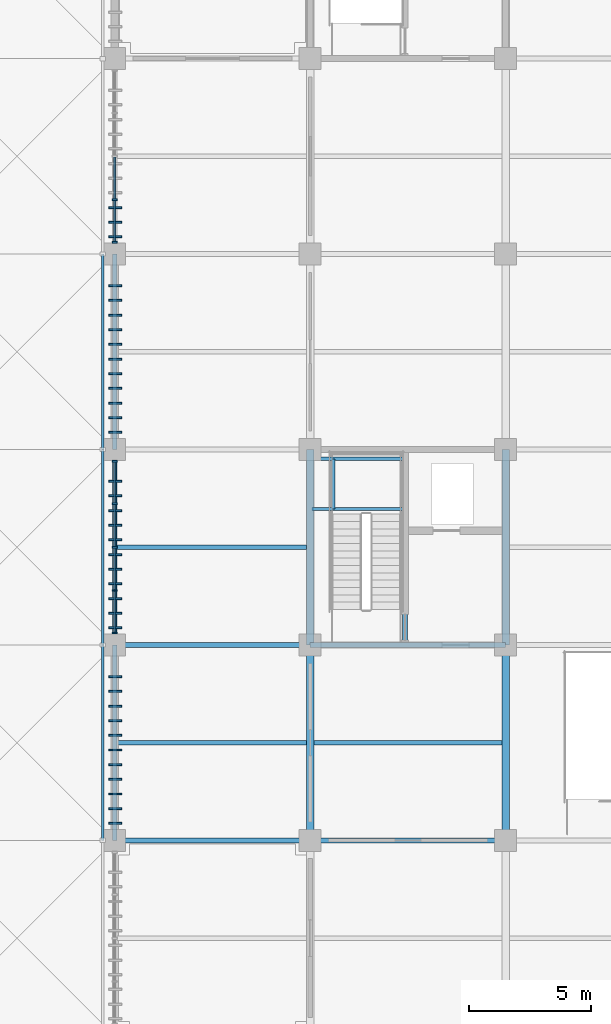
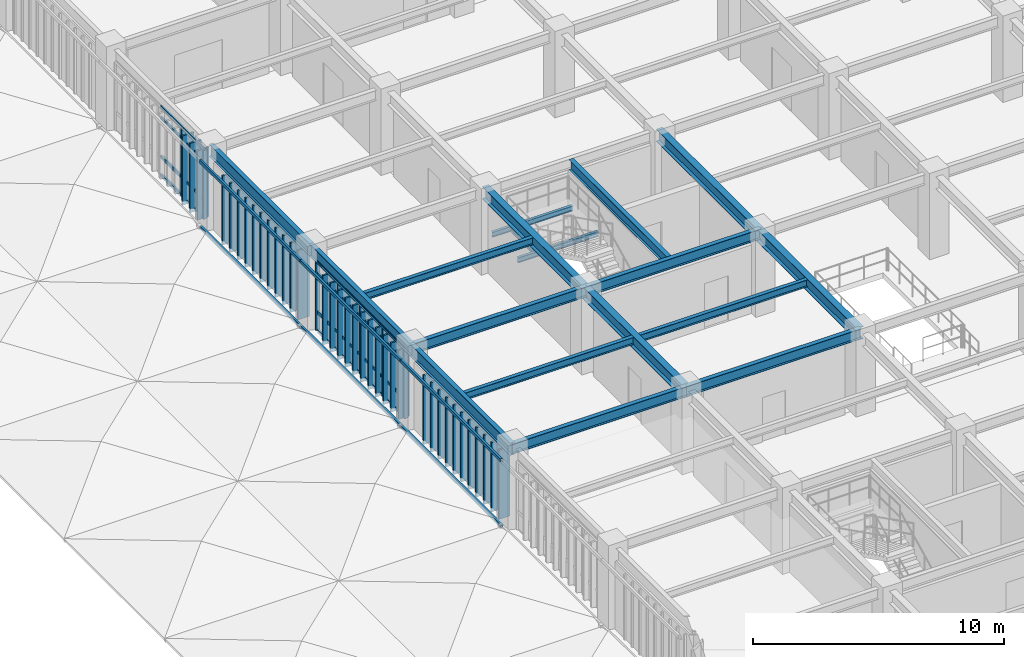
# One storey, part 29 of 118: 73 members, 18 beams, 2 elements without a shape of their own.
"""IFC4 building model written with IfcOpenShell, lengths in metres."""

from ifc_helpers import new_model, si_unit, direction, frame, origin, origin_2d, place, context, subcontext, project, spatial, rectangle, hollow_rectangle, i_section, extrude, material, layer, layer_set, material_profile, profile_set, type_object, element, aggregate, save


model = new_model("IFC4")

# Units and contexts
model_context = context("Model", 3, precision=1e-05, world=origin(), true_north=direction((0.0, 1.0)))
body_context = subcontext(model_context, "Body", "Model", "MODEL_VIEW")
ifc_project = project(units=[si_unit("LENGTHUNIT", "METRE"), si_unit("AREAUNIT", "SQUARE_METRE"), si_unit("VOLUMEUNIT", "CUBIC_METRE"), si_unit("PLANEANGLEUNIT", "RADIAN"), si_unit("MASSUNIT", "GRAM", prefix="KILO")], contexts=[model_context])

# Site, building, storey
site_placement = place(None, origin())
site = spatial("IfcSite", under=ifc_project, at=site_placement, CompositionType="ELEMENT")
building_placement = place(site_placement, origin())
building = spatial("IfcBuilding", under=site, at=building_placement, Name="Haebicheon Civic Stadium", CompositionType="ELEMENT")
storey_placement = place(building_placement, frame((0.0, 0.0, 14.39990234375)))
storey = spatial("IfcBuildingStorey", under=building, at=storey_placement, Name="L04", CompositionType="ELEMENT", Elevation=14.39990234375)

# Beams
ifc_material_1 = material(Name="Steel SM355 (S355)", Category="steel")
ifc_material_profile_1 = material_profile(ifc_material_1, i_section(OverallWidth=0.199951171875, OverallDepth=0.5, WebThickness=0.010009765625, FlangeThickness=0.01611328125, at=origin_2d()), Name="H-500x200x10x16")
ifc_profile_set_1 = profile_set([ifc_material_profile_1], Name="Steel SM355 (S355)")
beam_type_1 = type_object("IfcBeamType", Name="BM-ST-H500", PredefinedType="BEAM", material=ifc_profile_set_1)
for number, where, z_axis, x_axis, name in (
    (1, (24.0, 96.0, 3.690185546875), (1.0, 0.0, 0.0), (0.0, 1.0, 0.0), "L04 beam N/4-5"),
    (2, (24.0, 104.0, 3.690185546875), (1.0, 0.0, 0.0), (0.0, 1.0, 0.0), "L04 beam P/4-5"),
    (3, (32.0, 96.0, 3.690185546875), (1.0, 0.0, 0.0), (0.0, 1.0, 0.0), "L04 beam N/5-6"),
    (4, (32.0, 104.0, 3.690185546875), (1.0, 0.0, 0.0), (0.0, 1.0, 0.0), "L04 beam P/5-6"),
):
    element("IfcBeam", number, at=place(storey_placement, frame(where, z_axis=z_axis, x_axis=x_axis)), inside=storey, type_object=beam_type_1, material=ifc_profile_set_1, Name=name, PredefinedType="BEAM", context=body_context, shape_type="SweptSolid", body=[
        extrude(i_section(OverallWidth=0.199951171875, OverallDepth=0.5, WebThickness=0.010009765625, FlangeThickness=0.01611328125, at=origin_2d()), origin(), (0.0, 0.0, 1.0), 8.0),
    ])
beam_1_placement = place(storey_placement, frame((35.8798828125, 104.10009765625, 3.690185546875), z_axis=(0.0, 1.0, 0.0), x_axis=(-1.0, 0.0, 0.0)))
element("IfcBeam", 5, at=beam_1_placement, inside=storey, type_object=beam_type_1, material=ifc_profile_set_1, Name="L04 KC-04 core dividing wall support beam", PredefinedType="BEAM", context=body_context, shape_type="SweptSolid", body=[
    extrude(i_section(OverallWidth=0.199951171875, OverallDepth=0.5, WebThickness=0.010009765625, FlangeThickness=0.01611328125, at=origin_2d()), origin(), (0.0, 0.0, 1.0), 7.7998046875),
])
ifc_material_2 = material(Name="Steel SM355 (S355)", Category="steel")
ifc_material_profile_2 = material_profile(ifc_material_2, i_section(OverallWidth=0.300048828125, OverallDepth=0.60009765625, WebThickness=0.011962890625, FlangeThickness=0.02001953125, at=origin_2d()), Name="H-600x300x12x20")
ifc_profile_set_2 = profile_set([ifc_material_profile_2], Name="Steel SM355 (S355)")
beam_type_2 = type_object("IfcBeamType", Name="BM-ST-H600A", PredefinedType="BEAM", material=ifc_profile_set_2)
for number, where, z_axis, x_axis, name in (
    (6, (32.0, 96.0, 3.64013671875), (0.0, 1.0, 0.0), (-1.0, 0.0, 0.0), "L04 girder 5/N-P"),
    (7, (32.0, 104.0, 3.64013671875), (0.0, 1.0, 0.0), (-1.0, 0.0, 0.0), "L04 girder 5/P-Q"),
    (8, (40.0, 96.0, 3.64013671875), (0.0, 1.0, 0.0), (-1.0, 0.0, 0.0), "L04 girder 6/N-P"),
    (9, (40.0, 104.0, 3.64013671875), (0.0, 1.0, 0.0), (-1.0, 0.0, 0.0), "L04 girder 6/P-Q"),
):
    element("IfcBeam", number, at=place(storey_placement, frame(where, z_axis=z_axis, x_axis=x_axis)), inside=storey, type_object=beam_type_2, material=ifc_profile_set_2, Name=name, PredefinedType="BEAM", context=body_context, shape_type="SweptSolid", body=[
        extrude(i_section(OverallWidth=0.300048828125, OverallDepth=0.60009765625, WebThickness=0.011962890625, FlangeThickness=0.02001953125, at=origin_2d()), origin(), (0.0, 0.0, 1.0), 8.0),
    ])

# Curtain wall, members
ifc_material_3 = material(Name="Anodised aluminium and laminated glass", Category="aluminium")
ifc_layer = layer(ifc_material_3, 0.179931640625, Name="Anodised aluminium and laminated glass")
ifc_layer_set = layer_set([ifc_layer], Name="Anodised aluminium and laminated glass")
curtain_wall_type = type_object("IfcCurtainWallType", Name="CW-7100x3330", PredefinedType="NOTDEFINED", material=ifc_layer_set)
curtain_wall_1_placement = place(storey_placement, origin())
curtain_wall_1 = element("IfcCurtainWall", 10, at=curtain_wall_1_placement, inside=storey, type_object=curtain_wall_type, material=ifc_layer_set, Name="L04 unitised curtain wall 109", PredefinedType="NOTDEFINED")
ifc_material_4 = material(Name="Anodised aluminium 6063-T6", Category="aluminium")
ifc_material_profile_3 = material_profile(ifc_material_4, rectangle(XDim=0.070068359375, YDim=0.199951171875, at=origin_2d()), Name="ALU-MULL-70x200")
ifc_profile_set_3 = profile_set([ifc_material_profile_3], Name="Anodised aluminium 6063-T6")
member_type_1 = type_object("IfcMemberType", Name="CWM-200x70", PredefinedType="MULLION", material=ifc_profile_set_3)
member_1_placement = place(storey_placement, frame((24.0, 104.485107421875, 0.0), z_axis=(0.0, 0.0, 1.0), x_axis=(0.0, 1.0, 0.0)))
member_1 = element("IfcMember", 11, at=member_1_placement, type_object=member_type_1, material=ifc_profile_set_3, Name="CW-L04-109 vertical mullion 1", PredefinedType="MULLION", context=body_context, shape_type="SweptSolid", body=[
    extrude(rectangle(XDim=0.070068359375, YDim=0.199951171875, at=origin_2d()), origin(), (0.0, 0.0, 1.0), 3.330078125),
])
member_2_placement = place(storey_placement, frame((24.0, 106.22509765625, 0.0), z_axis=(0.0, 0.0, 1.0), x_axis=(0.0, 1.0, 0.0)))
member_2 = element("IfcMember", 12, at=member_2_placement, type_object=member_type_1, material=ifc_profile_set_3, Name="CW-L04-109 vertical mullion 2", PredefinedType="MULLION", context=body_context, shape_type="SweptSolid", body=[
    extrude(rectangle(XDim=0.070068359375, YDim=0.199951171875, at=origin_2d()), origin(), (0.0, 0.0, 1.0), 3.330078125),
])
member_3_placement = place(storey_placement, frame((24.0, 108.0, 0.0), z_axis=(0.0, 0.0, 1.0), x_axis=(0.0, 1.0, 0.0)))
member_3 = element("IfcMember", 13, at=member_3_placement, type_object=member_type_1, material=ifc_profile_set_3, Name="CW-L04-109 vertical mullion 3", PredefinedType="MULLION", context=body_context, shape_type="SweptSolid", body=[
    extrude(rectangle(XDim=0.070068359375, YDim=0.199951171875, at=origin_2d()), origin(), (0.0, 0.0, 1.0), 3.330078125),
])
member_4_placement = place(storey_placement, frame((24.0, 109.77490234375, 0.0), z_axis=(0.0, 0.0, 1.0), x_axis=(0.0, 1.0, 0.0)))
member_4 = element("IfcMember", 14, at=member_4_placement, type_object=member_type_1, material=ifc_profile_set_3, Name="CW-L04-109 vertical mullion 4", PredefinedType="MULLION", context=body_context, shape_type="SweptSolid", body=[
    extrude(rectangle(XDim=0.070068359375, YDim=0.199951171875, at=origin_2d()), origin(), (0.0, 0.0, 1.0), 3.330078125),
])
member_5_placement = place(storey_placement, frame((24.0, 111.514892578125, 0.0), z_axis=(0.0, 0.0, 1.0), x_axis=(0.0, 1.0, 0.0)))
member_5 = element("IfcMember", 15, at=member_5_placement, type_object=member_type_1, material=ifc_profile_set_3, Name="CW-L04-109 vertical mullion 5", PredefinedType="MULLION", context=body_context, shape_type="SweptSolid", body=[
    extrude(rectangle(XDim=0.070068359375, YDim=0.199951171875, at=origin_2d()), origin(), (0.0, 0.0, 1.0), 3.330078125),
])

curtain_wall_2_placement = place(storey_placement, origin())
curtain_wall_2 = element("IfcCurtainWall", 16, at=curtain_wall_2_placement, inside=storey, type_object=curtain_wall_type, material=ifc_layer_set, Name="L04 unitised curtain wall 110", PredefinedType="NOTDEFINED")
member_6_placement = place(storey_placement, frame((24.0, 120.485107421875, 0.0), z_axis=(0.0, 0.0, 1.0), x_axis=(0.0, 1.0, 0.0)))
member_6 = element("IfcMember", 17, at=member_6_placement, type_object=member_type_1, material=ifc_profile_set_3, Name="CW-L04-110 vertical mullion 1", PredefinedType="MULLION", context=body_context, shape_type="SweptSolid", body=[
    extrude(rectangle(XDim=0.070068359375, YDim=0.199951171875, at=origin_2d()), origin(), (0.0, 0.0, 1.0), 3.330078125),
])
member_7_placement = place(storey_placement, frame((24.0, 122.22509765625, 0.0), z_axis=(0.0, 0.0, 1.0), x_axis=(0.0, 1.0, 0.0)))
member_7 = element("IfcMember", 18, at=member_7_placement, type_object=member_type_1, material=ifc_profile_set_3, Name="CW-L04-110 vertical mullion 2", PredefinedType="MULLION", context=body_context, shape_type="SweptSolid", body=[
    extrude(rectangle(XDim=0.070068359375, YDim=0.199951171875, at=origin_2d()), origin(), (0.0, 0.0, 1.0), 3.330078125),
])

# Member
ifc_material_5 = material(Name="Anodised aluminium 6063-T6", Category="aluminium")
ifc_material_profile_4 = material_profile(ifc_material_5, rectangle(XDim=0.070068359375, YDim=0.14990234375, at=origin_2d()), Name="ALU-TRAN-70x150")
ifc_profile_set_4 = profile_set([ifc_material_profile_4], Name="Anodised aluminium 6063-T6")
member_type_2 = type_object("IfcMemberType", Name="CWT-150x70", PredefinedType="NOTDEFINED", material=ifc_profile_set_4)
member_8_placement = place(storey_placement, frame((24.0, 104.52001953125, 0.0), z_axis=(0.0, 1.0, 0.0), x_axis=(-1.0, 0.0, 0.0)))
member_8 = element("IfcMember", 19, at=member_8_placement, type_object=member_type_2, material=ifc_profile_set_4, Name="CW-L04-109 horizontal transom 1.1", ObjectType="TRANSOM", PredefinedType="USERDEFINED", context=body_context, shape_type="SweptSolid", body=[
    extrude(rectangle(XDim=0.070068359375, YDim=0.14990234375, at=origin_2d()), origin(), (0.0, 0.0, 1.0), 1.669921875),
])

member_9_placement = place(storey_placement, frame((24.0, 104.52001953125, 0.900146484375), z_axis=(0.0, 1.0, 0.0), x_axis=(-1.0, 0.0, 0.0)))
member_9 = element("IfcMember", 20, at=member_9_placement, type_object=member_type_2, material=ifc_profile_set_4, Name="CW-L04-109 horizontal transom 1.2", ObjectType="TRANSOM", PredefinedType="USERDEFINED", context=body_context, shape_type="SweptSolid", body=[
    extrude(rectangle(XDim=0.070068359375, YDim=0.14990234375, at=origin_2d()), origin(), (0.0, 0.0, 1.0), 1.669921875),
])

member_10_placement = place(storey_placement, frame((24.0, 104.52001953125, 2.780029296875), z_axis=(0.0, 1.0, 0.0), x_axis=(-1.0, 0.0, 0.0)))
member_10 = element("IfcMember", 21, at=member_10_placement, type_object=member_type_2, material=ifc_profile_set_4, Name="CW-L04-109 horizontal transom 1.3", ObjectType="TRANSOM", PredefinedType="USERDEFINED", context=body_context, shape_type="SweptSolid", body=[
    extrude(rectangle(XDim=0.070068359375, YDim=0.14990234375, at=origin_2d()), origin(), (0.0, 0.0, 1.0), 1.669921875),
])

member_11_placement = place(storey_placement, frame((24.0, 104.52001953125, 3.330078125), z_axis=(0.0, 1.0, 0.0), x_axis=(-1.0, 0.0, 0.0)))
member_11 = element("IfcMember", 22, at=member_11_placement, type_object=member_type_2, material=ifc_profile_set_4, Name="CW-L04-109 horizontal transom 1.4", ObjectType="TRANSOM", PredefinedType="USERDEFINED", context=body_context, shape_type="SweptSolid", body=[
    extrude(rectangle(XDim=0.070068359375, YDim=0.14990234375, at=origin_2d()), origin(), (0.0, 0.0, 1.0), 1.669921875),
])

member_12_placement = place(storey_placement, frame((24.0, 106.260009765625, 0.0), z_axis=(0.0, 1.0, 0.0), x_axis=(-1.0, 0.0, 0.0)))
member_12 = element("IfcMember", 23, at=member_12_placement, type_object=member_type_2, material=ifc_profile_set_4, Name="CW-L04-109 horizontal transom 2.1", ObjectType="TRANSOM", PredefinedType="USERDEFINED", context=body_context, shape_type="SweptSolid", body=[
    extrude(rectangle(XDim=0.070068359375, YDim=0.14990234375, at=origin_2d()), origin(), (0.0, 0.0, 1.0), 1.705078125),
])

member_13_placement = place(storey_placement, frame((24.0, 106.260009765625, 0.900146484375), z_axis=(0.0, 1.0, 0.0), x_axis=(-1.0, 0.0, 0.0)))
member_13 = element("IfcMember", 24, at=member_13_placement, type_object=member_type_2, material=ifc_profile_set_4, Name="CW-L04-109 horizontal transom 2.2", ObjectType="TRANSOM", PredefinedType="USERDEFINED", context=body_context, shape_type="SweptSolid", body=[
    extrude(rectangle(XDim=0.070068359375, YDim=0.14990234375, at=origin_2d()), origin(), (0.0, 0.0, 1.0), 1.705078125),
])

member_14_placement = place(storey_placement, frame((24.0, 106.260009765625, 2.780029296875), z_axis=(0.0, 1.0, 0.0), x_axis=(-1.0, 0.0, 0.0)))
member_14 = element("IfcMember", 25, at=member_14_placement, type_object=member_type_2, material=ifc_profile_set_4, Name="CW-L04-109 horizontal transom 2.3", ObjectType="TRANSOM", PredefinedType="USERDEFINED", context=body_context, shape_type="SweptSolid", body=[
    extrude(rectangle(XDim=0.070068359375, YDim=0.14990234375, at=origin_2d()), origin(), (0.0, 0.0, 1.0), 1.705078125),
])

member_15_placement = place(storey_placement, frame((24.0, 106.260009765625, 3.330078125), z_axis=(0.0, 1.0, 0.0), x_axis=(-1.0, 0.0, 0.0)))
member_15 = element("IfcMember", 26, at=member_15_placement, type_object=member_type_2, material=ifc_profile_set_4, Name="CW-L04-109 horizontal transom 2.4", ObjectType="TRANSOM", PredefinedType="USERDEFINED", context=body_context, shape_type="SweptSolid", body=[
    extrude(rectangle(XDim=0.070068359375, YDim=0.14990234375, at=origin_2d()), origin(), (0.0, 0.0, 1.0), 1.705078125),
])

member_16_placement = place(storey_placement, frame((24.0, 108.034912109375, 0.0), z_axis=(0.0, 1.0, 0.0), x_axis=(-1.0, 0.0, 0.0)))
member_16 = element("IfcMember", 27, at=member_16_placement, type_object=member_type_2, material=ifc_profile_set_4, Name="CW-L04-109 horizontal transom 3.1", ObjectType="TRANSOM", PredefinedType="USERDEFINED", context=body_context, shape_type="SweptSolid", body=[
    extrude(rectangle(XDim=0.070068359375, YDim=0.14990234375, at=origin_2d()), origin(), (0.0, 0.0, 1.0), 1.705078125),
])

member_17_placement = place(storey_placement, frame((24.0, 108.034912109375, 0.900146484375), z_axis=(0.0, 1.0, 0.0), x_axis=(-1.0, 0.0, 0.0)))
member_17 = element("IfcMember", 28, at=member_17_placement, type_object=member_type_2, material=ifc_profile_set_4, Name="CW-L04-109 horizontal transom 3.2", ObjectType="TRANSOM", PredefinedType="USERDEFINED", context=body_context, shape_type="SweptSolid", body=[
    extrude(rectangle(XDim=0.070068359375, YDim=0.14990234375, at=origin_2d()), origin(), (0.0, 0.0, 1.0), 1.705078125),
])

member_18_placement = place(storey_placement, frame((24.0, 108.034912109375, 2.780029296875), z_axis=(0.0, 1.0, 0.0), x_axis=(-1.0, 0.0, 0.0)))
member_18 = element("IfcMember", 29, at=member_18_placement, type_object=member_type_2, material=ifc_profile_set_4, Name="CW-L04-109 horizontal transom 3.3", ObjectType="TRANSOM", PredefinedType="USERDEFINED", context=body_context, shape_type="SweptSolid", body=[
    extrude(rectangle(XDim=0.070068359375, YDim=0.14990234375, at=origin_2d()), origin(), (0.0, 0.0, 1.0), 1.705078125),
])

member_19_placement = place(storey_placement, frame((24.0, 108.034912109375, 3.330078125), z_axis=(0.0, 1.0, 0.0), x_axis=(-1.0, 0.0, 0.0)))
member_19 = element("IfcMember", 30, at=member_19_placement, type_object=member_type_2, material=ifc_profile_set_4, Name="CW-L04-109 horizontal transom 3.4", ObjectType="TRANSOM", PredefinedType="USERDEFINED", context=body_context, shape_type="SweptSolid", body=[
    extrude(rectangle(XDim=0.070068359375, YDim=0.14990234375, at=origin_2d()), origin(), (0.0, 0.0, 1.0), 1.705078125),
])

member_20_placement = place(storey_placement, frame((24.0, 109.81005859375, 0.0), z_axis=(0.0, 1.0, 0.0), x_axis=(-1.0, 0.0, 0.0)))
member_20 = element("IfcMember", 31, at=member_20_placement, type_object=member_type_2, material=ifc_profile_set_4, Name="CW-L04-109 horizontal transom 4.1", ObjectType="TRANSOM", PredefinedType="USERDEFINED", context=body_context, shape_type="SweptSolid", body=[
    extrude(rectangle(XDim=0.070068359375, YDim=0.14990234375, at=origin_2d()), origin(), (0.0, 0.0, 1.0), 1.669921875),
])

member_21_placement = place(storey_placement, frame((24.0, 109.81005859375, 0.900146484375), z_axis=(0.0, 1.0, 0.0), x_axis=(-1.0, 0.0, 0.0)))
member_21 = element("IfcMember", 32, at=member_21_placement, type_object=member_type_2, material=ifc_profile_set_4, Name="CW-L04-109 horizontal transom 4.2", ObjectType="TRANSOM", PredefinedType="USERDEFINED", context=body_context, shape_type="SweptSolid", body=[
    extrude(rectangle(XDim=0.070068359375, YDim=0.14990234375, at=origin_2d()), origin(), (0.0, 0.0, 1.0), 1.669921875),
])

member_22_placement = place(storey_placement, frame((24.0, 109.81005859375, 2.780029296875), z_axis=(0.0, 1.0, 0.0), x_axis=(-1.0, 0.0, 0.0)))
member_22 = element("IfcMember", 33, at=member_22_placement, type_object=member_type_2, material=ifc_profile_set_4, Name="CW-L04-109 horizontal transom 4.3", ObjectType="TRANSOM", PredefinedType="USERDEFINED", context=body_context, shape_type="SweptSolid", body=[
    extrude(rectangle(XDim=0.070068359375, YDim=0.14990234375, at=origin_2d()), origin(), (0.0, 0.0, 1.0), 1.669921875),
])

member_23_placement = place(storey_placement, frame((24.0, 109.81005859375, 3.330078125), z_axis=(0.0, 1.0, 0.0), x_axis=(-1.0, 0.0, 0.0)))
member_23 = element("IfcMember", 34, at=member_23_placement, type_object=member_type_2, material=ifc_profile_set_4, Name="CW-L04-109 horizontal transom 4.4", ObjectType="TRANSOM", PredefinedType="USERDEFINED", context=body_context, shape_type="SweptSolid", body=[
    extrude(rectangle(XDim=0.070068359375, YDim=0.14990234375, at=origin_2d()), origin(), (0.0, 0.0, 1.0), 1.669921875),
])

aggregate(curtain_wall_1, [member_1, member_2, member_3, member_4, member_5, member_8, member_9, member_10, member_11, member_12, member_13, member_14, member_15, member_16, member_17, member_18, member_19, member_20, member_21, member_22, member_23])

member_24_placement = place(storey_placement, frame((24.0, 120.52001953125, 0.0), z_axis=(0.0, 1.0, 0.0), x_axis=(-1.0, 0.0, 0.0)))
member_24 = element("IfcMember", 35, at=member_24_placement, type_object=member_type_2, material=ifc_profile_set_4, Name="CW-L04-110 horizontal transom 1.1", ObjectType="TRANSOM", PredefinedType="USERDEFINED", context=body_context, shape_type="SweptSolid", body=[
    extrude(rectangle(XDim=0.070068359375, YDim=0.14990234375, at=origin_2d()), origin(), (0.0, 0.0, 1.0), 1.669921875),
])

member_25_placement = place(storey_placement, frame((24.0, 120.52001953125, 0.900146484375), z_axis=(0.0, 1.0, 0.0), x_axis=(-1.0, 0.0, 0.0)))
member_25 = element("IfcMember", 36, at=member_25_placement, type_object=member_type_2, material=ifc_profile_set_4, Name="CW-L04-110 horizontal transom 1.2", ObjectType="TRANSOM", PredefinedType="USERDEFINED", context=body_context, shape_type="SweptSolid", body=[
    extrude(rectangle(XDim=0.070068359375, YDim=0.14990234375, at=origin_2d()), origin(), (0.0, 0.0, 1.0), 1.669921875),
])

member_26_placement = place(storey_placement, frame((24.0, 120.52001953125, 2.780029296875), z_axis=(0.0, 1.0, 0.0), x_axis=(-1.0, 0.0, 0.0)))
member_26 = element("IfcMember", 37, at=member_26_placement, type_object=member_type_2, material=ifc_profile_set_4, Name="CW-L04-110 horizontal transom 1.3", ObjectType="TRANSOM", PredefinedType="USERDEFINED", context=body_context, shape_type="SweptSolid", body=[
    extrude(rectangle(XDim=0.070068359375, YDim=0.14990234375, at=origin_2d()), origin(), (0.0, 0.0, 1.0), 1.669921875),
])

member_27_placement = place(storey_placement, frame((24.0, 120.52001953125, 3.330078125), z_axis=(0.0, 1.0, 0.0), x_axis=(-1.0, 0.0, 0.0)))
member_27 = element("IfcMember", 38, at=member_27_placement, type_object=member_type_2, material=ifc_profile_set_4, Name="CW-L04-110 horizontal transom 1.4", ObjectType="TRANSOM", PredefinedType="USERDEFINED", context=body_context, shape_type="SweptSolid", body=[
    extrude(rectangle(XDim=0.070068359375, YDim=0.14990234375, at=origin_2d()), origin(), (0.0, 0.0, 1.0), 1.669921875),
])

member_28_placement = place(storey_placement, frame((24.0, 122.260009765625, 0.0), z_axis=(0.0, 1.0, 0.0), x_axis=(-1.0, 0.0, 0.0)))
member_28 = element("IfcMember", 39, at=member_28_placement, type_object=member_type_2, material=ifc_profile_set_4, Name="CW-L04-110 horizontal transom 2.1", ObjectType="TRANSOM", PredefinedType="USERDEFINED", context=body_context, shape_type="SweptSolid", body=[
    extrude(rectangle(XDim=0.070068359375, YDim=0.14990234375, at=origin_2d()), origin(), (0.0, 0.0, 1.0), 1.705078125),
])

member_29_placement = place(storey_placement, frame((24.0, 122.260009765625, 0.900146484375), z_axis=(0.0, 1.0, 0.0), x_axis=(-1.0, 0.0, 0.0)))
member_29 = element("IfcMember", 40, at=member_29_placement, type_object=member_type_2, material=ifc_profile_set_4, Name="CW-L04-110 horizontal transom 2.2", ObjectType="TRANSOM", PredefinedType="USERDEFINED", context=body_context, shape_type="SweptSolid", body=[
    extrude(rectangle(XDim=0.070068359375, YDim=0.14990234375, at=origin_2d()), origin(), (0.0, 0.0, 1.0), 1.705078125),
])

member_30_placement = place(storey_placement, frame((24.0, 122.260009765625, 2.780029296875), z_axis=(0.0, 1.0, 0.0), x_axis=(-1.0, 0.0, 0.0)))
member_30 = element("IfcMember", 41, at=member_30_placement, type_object=member_type_2, material=ifc_profile_set_4, Name="CW-L04-110 horizontal transom 2.3", ObjectType="TRANSOM", PredefinedType="USERDEFINED", context=body_context, shape_type="SweptSolid", body=[
    extrude(rectangle(XDim=0.070068359375, YDim=0.14990234375, at=origin_2d()), origin(), (0.0, 0.0, 1.0), 1.705078125),
])

member_31_placement = place(storey_placement, frame((24.0, 122.260009765625, 3.330078125), z_axis=(0.0, 1.0, 0.0), x_axis=(-1.0, 0.0, 0.0)))
member_31 = element("IfcMember", 42, at=member_31_placement, type_object=member_type_2, material=ifc_profile_set_4, Name="CW-L04-110 horizontal transom 2.4", ObjectType="TRANSOM", PredefinedType="USERDEFINED", context=body_context, shape_type="SweptSolid", body=[
    extrude(rectangle(XDim=0.070068359375, YDim=0.14990234375, at=origin_2d()), origin(), (0.0, 0.0, 1.0), 1.705078125),
])

aggregate(curtain_wall_2, [member_6, member_7, member_24, member_25, member_26, member_27, member_28, member_29, member_30, member_31])

# Beams
ifc_material_6 = material(Name="Steel SM355 (S355)", Category="steel")
ifc_material_profile_5 = material_profile(ifc_material_6, i_section(OverallWidth=0.125, OverallDepth=0.25, WebThickness=0.006103515625, FlangeThickness=0.009033203125, at=origin_2d()), Name="H-250x125x6x9")
ifc_profile_set_5 = profile_set([ifc_material_profile_5], Name="Steel SM355 (S355)")
beam_type_3 = type_object("IfcBeamType", Name="JST-ST-H250", PredefinedType="JOIST", material=ifc_profile_set_5)
for number, where, z_axis, x_axis, name in (
    (43, (32.080078125, 109.570068359375, 1.772216796875), (1.0, 0.0, 0.0), (0.0, 1.0, 0.0), "KC-04 L04 stair half-landing front trimmer beam"),
    (44, (32.080078125, 111.6201171875, 1.772216796875), (1.0, 0.0, 0.0), (0.0, 1.0, 0.0), "KC-04 L04 stair half-landing rear trimmer beam"),
):
    element("IfcBeam", number, at=place(storey_placement, frame(where, z_axis=z_axis, x_axis=x_axis)), inside=storey, type_object=beam_type_3, material=ifc_profile_set_5, Name=name, PredefinedType="JOIST", context=body_context, shape_type="SweptSolid", body=[
        extrude(i_section(OverallWidth=0.125, OverallDepth=0.25, WebThickness=0.006103515625, FlangeThickness=0.009033203125, at=origin_2d()), origin(), (0.0, 0.0, 1.0), 3.719970703125),
    ])
beam_2_placement = place(storey_placement, frame((32.9599609375, 109.570068359375, 1.772216796875), z_axis=(0.0, 1.0, 0.0), x_axis=(-1.0, 0.0, 0.0)))
element("IfcBeam", 45, at=beam_2_placement, inside=storey, type_object=beam_type_3, material=ifc_profile_set_5, Name="KC-04 L04 stair half-landing transverse tie beam", PredefinedType="JOIST", context=body_context, shape_type="SweptSolid", body=[
    extrude(i_section(OverallWidth=0.125, OverallDepth=0.25, WebThickness=0.006103515625, FlangeThickness=0.009033203125, at=origin_2d()), origin(), (0.0, 0.0, 1.0), 2.050048828125),
])
ifc_material_7 = material(Name="Steel SM355 (S355)", Category="steel")
ifc_material_profile_6 = material_profile(ifc_material_7, i_section(OverallWidth=0.175048828125, OverallDepth=0.35009765625, WebThickness=0.007080078125, FlangeThickness=0.010986328125, at=origin_2d()), Name="H-350x175x7x11")
ifc_profile_set_6 = profile_set([ifc_material_profile_6], Name="Steel SM355 (S355)")
beam_type_4 = type_object("IfcBeamType", Name="JST-ST-H350", PredefinedType="JOIST", material=ifc_profile_set_6)
for number, where, z_axis, x_axis, name in (
    (46, (24.10009765625, 100.0, 3.76513671875), (1.0, 0.0, 0.0), (0.0, 1.0, 0.0), "L04 secondary joist 03-12"),
    (47, (24.10009765625, 108.0, 3.76513671875), (1.0, 0.0, 0.0), (0.0, 1.0, 0.0), "L04 secondary joist 03-13"),
):
    element("IfcBeam", number, at=place(storey_placement, frame(where, z_axis=z_axis, x_axis=x_axis)), inside=storey, type_object=beam_type_4, material=ifc_profile_set_6, Name=name, PredefinedType="JOIST", context=body_context, shape_type="SweptSolid", body=[
        extrude(i_section(OverallWidth=0.175048828125, OverallDepth=0.35009765625, WebThickness=0.007080078125, FlangeThickness=0.010986328125, at=origin_2d()), origin(), (0.0, 0.0, 1.0), 7.75),
    ])
beam_3_placement = place(storey_placement, frame((32.14990234375, 100.0, 3.76513671875), z_axis=(1.0, 0.0, 0.0), x_axis=(0.0, 1.0, 0.0)))
element("IfcBeam", 48, at=beam_3_placement, inside=storey, type_object=beam_type_4, material=ifc_profile_set_6, Name="L04 secondary joist 04-12", PredefinedType="JOIST", context=body_context, shape_type="SweptSolid", body=[
    extrude(i_section(OverallWidth=0.175048828125, OverallDepth=0.35009765625, WebThickness=0.007080078125, FlangeThickness=0.010986328125, at=origin_2d()), origin(), (0.0, 0.0, 1.0), 7.7001953125),
])

# Members
ifc_material_8 = material(Name="Acetylated timber GL28h", Category="wood")
ifc_material_profile_7 = material_profile(ifc_material_8, rectangle(XDim=0.080078125, YDim=0.52001953125, at=origin_2d()), Name="TMB-LOUV-80x520")
ifc_profile_set_7 = profile_set([ifc_material_profile_7], Name="Acetylated timber GL28h")
member_type_3 = type_object("IfcMemberType", Name="LVR-TIM-520x80", PredefinedType="PLATE", material=ifc_profile_set_7)
for number, where, z_axis, x_axis, name in (
    (49, (24.02001953125, 96.699951171875, -0.119873046875), (0.0, 0.0, 1.0), (0.0, 1.0, 0.0), "SCR-WEST L04 acetylated timber storm louvre fin 7.1"),
    (50, (24.02001953125, 97.300048828125, -0.119873046875), (0.0, 0.0, 1.0), (0.0, 1.0, 0.0), "SCR-WEST L04 acetylated timber storm louvre fin 7.2"),
    (51, (24.02001953125, 97.89990234375, -0.119873046875), (0.0, 0.0, 1.0), (0.0, 1.0, 0.0), "SCR-WEST L04 acetylated timber storm louvre fin 7.3"),
    (52, (24.02001953125, 98.5, -0.119873046875), (0.0, 0.0, 1.0), (0.0, 1.0, 0.0), "SCR-WEST L04 acetylated timber storm louvre fin 7.4"),
    (53, (24.02001953125, 99.10009765625, -0.119873046875), (0.0, 0.0, 1.0), (0.0, 1.0, 0.0), "SCR-WEST L04 acetylated timber storm louvre fin 7.5"),
    (54, (24.02001953125, 99.699951171875, -0.119873046875), (0.0, 0.0, 1.0), (0.0, 1.0, 0.0), "SCR-WEST L04 acetylated timber storm louvre fin 7.6"),
    (55, (24.02001953125, 100.300048828125, -0.119873046875), (0.0, 0.0, 1.0), (0.0, 1.0, 0.0), "SCR-WEST L04 acetylated timber storm louvre fin 7.7"),
    (56, (24.02001953125, 100.89990234375, -0.119873046875), (0.0, 0.0, 1.0), (0.0, 1.0, 0.0), "SCR-WEST L04 acetylated timber storm louvre fin 7.8"),
    (57, (24.02001953125, 101.5, -0.119873046875), (0.0, 0.0, 1.0), (0.0, 1.0, 0.0), "SCR-WEST L04 acetylated timber storm louvre fin 7.9"),
    (58, (24.02001953125, 102.10009765625, -0.119873046875), (0.0, 0.0, 1.0), (0.0, 1.0, 0.0), "SCR-WEST L04 acetylated timber storm louvre fin 7.10"),
    (59, (24.02001953125, 102.699951171875, -0.119873046875), (0.0, 0.0, 1.0), (0.0, 1.0, 0.0), "SCR-WEST L04 acetylated timber storm louvre fin 7.11"),
    (60, (24.02001953125, 104.699951171875, -0.119873046875), (0.0, 0.0, 1.0), (0.0, 1.0, 0.0), "SCR-WEST L04 acetylated timber storm louvre fin 8.1"),
    (61, (24.02001953125, 105.300048828125, -0.119873046875), (0.0, 0.0, 1.0), (0.0, 1.0, 0.0), "SCR-WEST L04 acetylated timber storm louvre fin 8.2"),
    (62, (24.02001953125, 105.89990234375, -0.119873046875), (0.0, 0.0, 1.0), (0.0, 1.0, 0.0), "SCR-WEST L04 acetylated timber storm louvre fin 8.3"),
    (63, (24.02001953125, 106.5, -0.119873046875), (0.0, 0.0, 1.0), (0.0, 1.0, 0.0), "SCR-WEST L04 acetylated timber storm louvre fin 8.4"),
    (64, (24.02001953125, 107.10009765625, -0.119873046875), (0.0, 0.0, 1.0), (0.0, 1.0, 0.0), "SCR-WEST L04 acetylated timber storm louvre fin 8.5"),
    (65, (24.02001953125, 107.699951171875, -0.119873046875), (0.0, 0.0, 1.0), (0.0, 1.0, 0.0), "SCR-WEST L04 acetylated timber storm louvre fin 8.6"),
    (66, (24.02001953125, 108.300048828125, -0.119873046875), (0.0, 0.0, 1.0), (0.0, 1.0, 0.0), "SCR-WEST L04 acetylated timber storm louvre fin 8.7"),
    (67, (24.02001953125, 108.89990234375, -0.119873046875), (0.0, 0.0, 1.0), (0.0, 1.0, 0.0), "SCR-WEST L04 acetylated timber storm louvre fin 8.8"),
    (68, (24.02001953125, 109.5, -0.119873046875), (0.0, 0.0, 1.0), (0.0, 1.0, 0.0), "SCR-WEST L04 acetylated timber storm louvre fin 8.9"),
    (69, (24.02001953125, 110.10009765625, -0.119873046875), (0.0, 0.0, 1.0), (0.0, 1.0, 0.0), "SCR-WEST L04 acetylated timber storm louvre fin 8.10"),
    (70, (24.02001953125, 110.699951171875, -0.119873046875), (0.0, 0.0, 1.0), (0.0, 1.0, 0.0), "SCR-WEST L04 acetylated timber storm louvre fin 8.11"),
    (71, (24.02001953125, 112.699951171875, -0.119873046875), (0.0, 0.0, 1.0), (0.0, 1.0, 0.0), "SCR-WEST L04 acetylated timber storm louvre fin 9.1"),
    (72, (24.02001953125, 113.300048828125, -0.119873046875), (0.0, 0.0, 1.0), (0.0, 1.0, 0.0), "SCR-WEST L04 acetylated timber storm louvre fin 9.2"),
    (73, (24.02001953125, 113.89990234375, -0.119873046875), (0.0, 0.0, 1.0), (0.0, 1.0, 0.0), "SCR-WEST L04 acetylated timber storm louvre fin 9.3"),
    (74, (24.02001953125, 114.5, -0.119873046875), (0.0, 0.0, 1.0), (0.0, 1.0, 0.0), "SCR-WEST L04 acetylated timber storm louvre fin 9.4"),
    (75, (24.02001953125, 115.10009765625, -0.119873046875), (0.0, 0.0, 1.0), (0.0, 1.0, 0.0), "SCR-WEST L04 acetylated timber storm louvre fin 9.5"),
    (76, (24.02001953125, 115.699951171875, -0.119873046875), (0.0, 0.0, 1.0), (0.0, 1.0, 0.0), "SCR-WEST L04 acetylated timber storm louvre fin 9.6"),
    (77, (24.02001953125, 116.300048828125, -0.119873046875), (0.0, 0.0, 1.0), (0.0, 1.0, 0.0), "SCR-WEST L04 acetylated timber storm louvre fin 9.7"),
    (78, (24.02001953125, 116.89990234375, -0.119873046875), (0.0, 0.0, 1.0), (0.0, 1.0, 0.0), "SCR-WEST L04 acetylated timber storm louvre fin 9.8"),
    (79, (24.02001953125, 117.5, -0.119873046875), (0.0, 0.0, 1.0), (0.0, 1.0, 0.0), "SCR-WEST L04 acetylated timber storm louvre fin 9.9"),
    (80, (24.02001953125, 118.10009765625, -0.119873046875), (0.0, 0.0, 1.0), (0.0, 1.0, 0.0), "SCR-WEST L04 acetylated timber storm louvre fin 9.10"),
    (81, (24.02001953125, 118.699951171875, -0.119873046875), (0.0, 0.0, 1.0), (0.0, 1.0, 0.0), "SCR-WEST L04 acetylated timber storm louvre fin 9.11"),
    (82, (24.02001953125, 120.699951171875, -0.119873046875), (0.0, 0.0, 1.0), (0.0, 1.0, 0.0), "SCR-WEST L04 acetylated timber storm louvre fin 10.1"),
    (83, (24.02001953125, 121.300048828125, -0.119873046875), (0.0, 0.0, 1.0), (0.0, 1.0, 0.0), "SCR-WEST L04 acetylated timber storm louvre fin 10.2"),
    (84, (24.02001953125, 121.89990234375, -0.119873046875), (0.0, 0.0, 1.0), (0.0, 1.0, 0.0), "SCR-WEST L04 acetylated timber storm louvre fin 10.3"),
):
    element("IfcMember", number, at=place(storey_placement, frame(where, z_axis=z_axis, x_axis=x_axis)), inside=storey, type_object=member_type_3, material=ifc_profile_set_7, Name=name, PredefinedType="PLATE", context=body_context, shape_type="SweptSolid", body=[
        extrude(rectangle(XDim=0.080078125, YDim=0.52001953125, at=origin_2d()), origin(), (0.0, 0.0, 1.0), 3.369873046875),
    ])

# Beams
ifc_material_9 = material(Name="Steel SM355 (S355)", Category="steel")
ifc_material_profile_8 = material_profile(ifc_material_9, i_section(OverallWidth=0.199951171875, OverallDepth=0.60009765625, WebThickness=0.010986328125, FlangeThickness=0.01708984375, at=origin_2d()), Name="H-600x200x11x17")
ifc_profile_set_8 = profile_set([ifc_material_profile_8], Name="Steel SM355 (S355)")
beam_type_5 = type_object("IfcBeamType", Name="SPD-ST-H600B", PredefinedType="SPANDREL", material=ifc_profile_set_8)
for number, where, z_axis, x_axis, name in (
    (85, (24.0, 96.0, 3.64013671875), (0.0, 1.0, 0.0), (-1.0, 0.0, 0.0), "L04 girder 4/N-P"),
    (86, (24.0, 104.0, 3.64013671875), (0.0, 1.0, 0.0), (-1.0, 0.0, 0.0), "L04 girder 4/P-Q"),
    (87, (24.0, 112.0, 3.64013671875), (0.0, 1.0, 0.0), (-1.0, 0.0, 0.0), "L04 girder 4/Q-R"),
):
    element("IfcBeam", number, at=place(storey_placement, frame(where, z_axis=z_axis, x_axis=x_axis)), inside=storey, type_object=beam_type_5, material=ifc_profile_set_8, Name=name, PredefinedType="SPANDREL", context=body_context, shape_type="SweptSolid", body=[
        extrude(i_section(OverallWidth=0.199951171875, OverallDepth=0.60009765625, WebThickness=0.010986328125, FlangeThickness=0.01708984375, at=origin_2d()), origin(), (0.0, 0.0, 1.0), 8.0),
    ])

# Members
ifc_material_10 = material(Name="Steel SM355 (S355)", Category="steel")
ifc_material_profile_9 = material_profile(ifc_material_10, hollow_rectangle(XDim=0.10009765625, YDim=0.14990234375, WallThickness=0.006103515625, at=origin_2d()), Name="RHS-150x100x6.0")
ifc_profile_set_9 = profile_set([ifc_material_profile_9], Name="Steel SM355 (S355)")
member_type_4 = type_object("IfcMemberType", Name="SUB-RHS150", PredefinedType="STRINGER", material=ifc_profile_set_9)
for number, where, z_axis, x_axis, name in (
    (88, (23.510009765625, 96.0, 0.06005859375), (0.0, 1.0, 0.0), (-1.0, 0.0, 0.0), "SCR-WEST L04 storm-louvre bottom carrier rail 7"),
    (89, (23.510009765625, 96.0, 3.25), (0.0, 1.0, 0.0), (-1.0, 0.0, 0.0), "SCR-WEST L04 storm-louvre top carrier rail 7"),
    (90, (23.510009765625, 104.0, 0.06005859375), (0.0, 1.0, 0.0), (-1.0, 0.0, 0.0), "SCR-WEST L04 storm-louvre bottom carrier rail 8"),
    (91, (23.510009765625, 104.0, 3.25), (0.0, 1.0, 0.0), (-1.0, 0.0, 0.0), "SCR-WEST L04 storm-louvre top carrier rail 8"),
    (92, (23.510009765625, 112.0, 0.06005859375), (0.0, 1.0, 0.0), (-1.0, 0.0, 0.0), "SCR-WEST L04 storm-louvre bottom carrier rail 9"),
    (93, (23.510009765625, 112.0, 3.25), (0.0, 1.0, 0.0), (-1.0, 0.0, 0.0), "SCR-WEST L04 storm-louvre top carrier rail 9"),
):
    element("IfcMember", number, at=place(storey_placement, frame(where, z_axis=z_axis, x_axis=x_axis)), inside=storey, type_object=member_type_4, material=ifc_profile_set_9, Name=name, PredefinedType="STRINGER", context=body_context, shape_type="SweptSolid", body=[
        extrude(hollow_rectangle(XDim=0.10009765625, YDim=0.14990234375, WallThickness=0.006103515625, at=origin_2d()), origin(), (0.0, 0.0, 1.0), 8.0),
    ])

save(model, "model.ifc")
